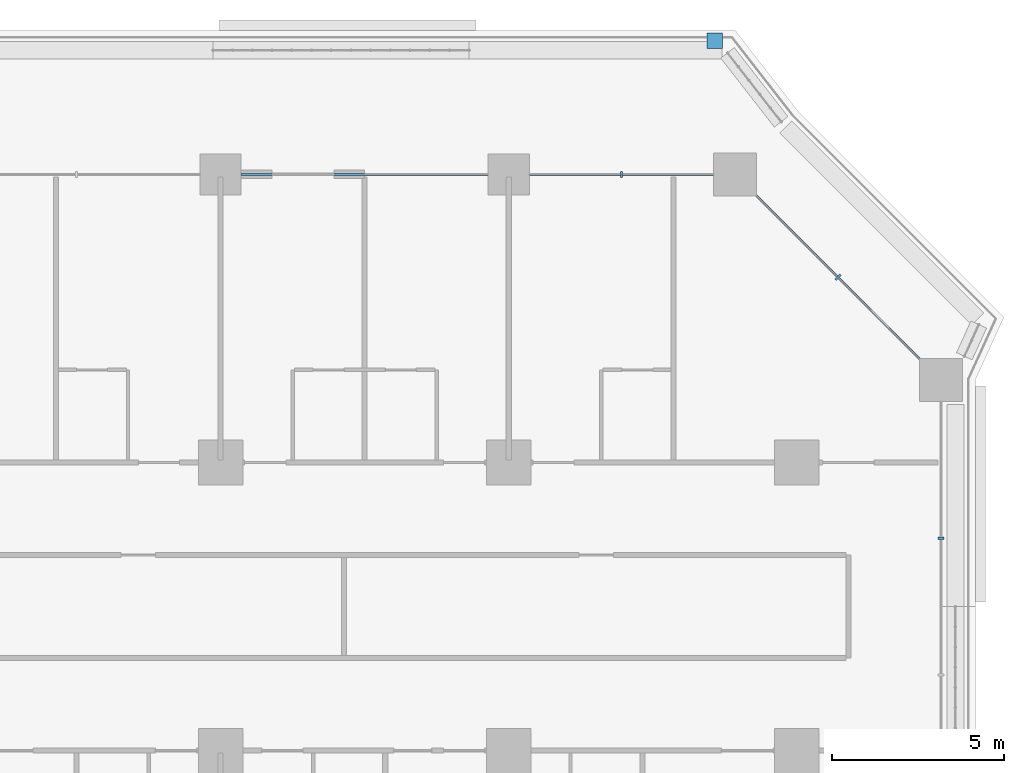
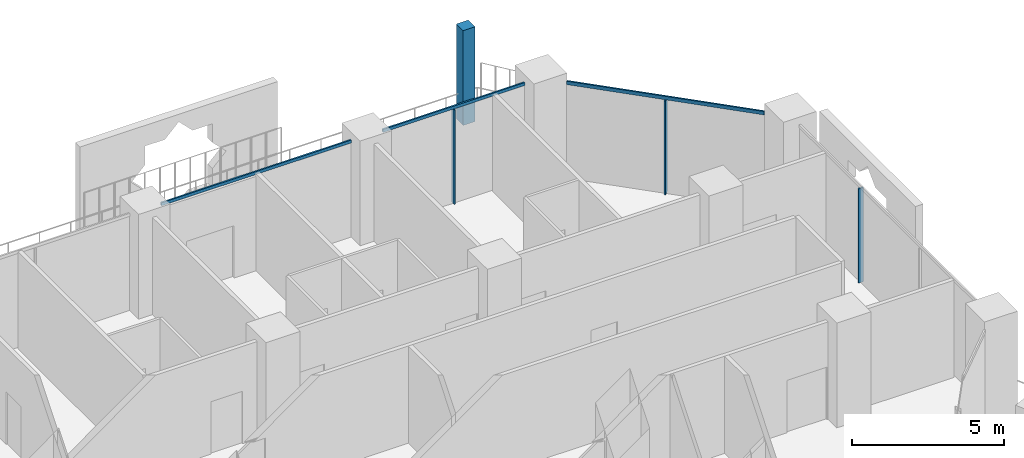
# One storey, part 10 of 28: 7 members, 4 elements without a shape of their own.
"""IFC4 building model written with IfcOpenShell, lengths in metres."""

from ifc_helpers import new_model, si_unit, direction, frame, origin, origin_2d, place, context, subcontext, project, spatial, rectangle, extrude, material, layer, layer_set, material_profile, profile_set, type_object, element, aggregate, save


model = new_model("IFC4")

# Units and contexts
model_context = context("Model", 3, precision=1e-05, world=origin(), true_north=direction((0.0, 1.0)))
body_context = subcontext(model_context, "Body", "Model", "MODEL_VIEW")
ifc_project = project(units=[si_unit("LENGTHUNIT", "METRE"), si_unit("AREAUNIT", "SQUARE_METRE"), si_unit("VOLUMEUNIT", "CUBIC_METRE"), si_unit("PLANEANGLEUNIT", "RADIAN"), si_unit("MASSUNIT", "GRAM", prefix="KILO")], contexts=[model_context])

# Site, building, storey
site_placement = place(None, origin())
site = spatial("IfcSite", under=ifc_project, at=site_placement, CompositionType="ELEMENT")
building_placement = place(site_placement, origin())
building = spatial("IfcBuilding", under=site, at=building_placement, Name="Kawkab Arch Medical Tower", CompositionType="ELEMENT")
storey_placement = place(building_placement, frame((0.0, 0.0, 68.60009765625)))
storey = spatial("IfcBuildingStorey", under=building, at=storey_placement, Name="L15", CompositionType="ELEMENT", Elevation=68.60009765625)

# Curtain wall, member
ifc_material_1 = material(Name="Bronze anodised aluminium curtain wall frame", Category="aluminium")
ifc_layer_1 = layer(ifc_material_1, 0.159912109375)
ifc_layer_set_1 = layer_set([ifc_layer_1], Name="Bronze anodised aluminium curtain wall frame")
curtain_wall_type_1 = type_object("IfcCurtainWallType", Name="CW1 ward curtain wall", PredefinedType="NOTDEFINED", material=ifc_layer_set_1)
placement = place(storey_placement, origin())
curtain_wall_1 = element("IfcCurtainWall", 1, at=placement, inside=storey, type_object=curtain_wall_type_1, Name="CW1 Ward curtain wall R09", PredefinedType="NOTDEFINED")
ifc_material_2 = material(Name="Bronze anodised aluminium curtain wall frame", Category="aluminium")
ifc_material_profile_1 = material_profile(ifc_material_2, rectangle(XDim=0.179931640625, YDim=0.06005859375, at=origin_2d()), Name="AL 60x180")
ifc_profile_set_1 = profile_set([ifc_material_profile_1], Name="Bronze anodised aluminium curtain wall frame")
member_type_1 = type_object("IfcMemberType", Name="CW1 mullion 60 x 180", PredefinedType="MULLION", material=ifc_profile_set_1)
member_1_placement = place(storey_placement, frame((79.800048828125, -10.6083984375, 0.0), z_axis=(0.0, 0.0, 1.0), x_axis=(-1.0, 0.0, 0.0)))
member_1 = element("IfcMember", 2, at=member_1_placement, type_object=member_type_1, Name="CW1 mullion 1.2", PredefinedType="MULLION", context=body_context, shape_type="SweptSolid", body=[
    extrude(rectangle(XDim=0.179931640625, YDim=0.06005859375, at=origin_2d()), origin(), (0.0, 0.0, 1.0), 3.77978515625),
])
aggregate(curtain_wall_1, [member_1])

# Curtain wall, members
curtain_wall_2 = element("IfcCurtainWall", 3, at=placement, inside=storey, type_object=curtain_wall_type_1, Name="CW1 Ward curtain wall R11", PredefinedType="NOTDEFINED")
member_2_placement = place(storey_placement, frame((70.487548828125, 0.0, 0.0), z_axis=(0.0, 0.0, 1.0), x_axis=(0.0, -1.0, 0.0)))
member_2 = element("IfcMember", 4, at=member_2_placement, type_object=member_type_1, Name="CW1 mullion 1.1", PredefinedType="MULLION", context=body_context, shape_type="SweptSolid", body=[
    extrude(rectangle(XDim=0.179931640625, YDim=0.06005859375, at=origin_2d()), origin(), (0.0, 0.0, 1.0), 3.77978515625),
])
ifc_material_3 = material(Name="Bronze anodised aluminium curtain wall frame", Category="aluminium")
ifc_material_profile_2 = material_profile(ifc_material_3, rectangle(XDim=0.06005859375, YDim=0.1201171875, at=origin_2d()), Name="AL 60x120")
ifc_profile_set_2 = profile_set([ifc_material_profile_2], Name="Bronze anodised aluminium curtain wall frame")
member_type_2 = type_object("IfcMemberType", Name="CW1 transom 120 x 60", PredefinedType="USERDEFINED", material=ifc_profile_set_2)
member_3_placement = place(storey_placement, frame((73.175048828125, 0.0, 3.83984375), z_axis=(-1.0, 0.0, 0.0), x_axis=(0.0, -1.0, 0.0)))
member_3 = element("IfcMember", 5, at=member_3_placement, type_object=member_type_2, Name="CW1 transom 1", ObjectType="TRANSOM", PredefinedType="USERDEFINED", context=body_context, shape_type="SweptSolid", body=[
    extrude(rectangle(XDim=0.06005859375, YDim=0.1201171875, at=origin_2d()), origin(), (0.0, 0.0, 1.0), 5.375),
])
member_4_placement = place(storey_placement, frame((66.60009765625, 0.0, 3.83984375), z_axis=(-1.0, 0.0, 0.0), x_axis=(0.0, -1.0, 0.0)))
member_4 = element("IfcMember", 6, at=member_4_placement, type_object=member_type_2, Name="CW1 transom 2", ObjectType="TRANSOM", PredefinedType="USERDEFINED", context=body_context, shape_type="SweptSolid", body=[
    extrude(rectangle(XDim=0.06005859375, YDim=0.1201171875, at=origin_2d()), origin(), (0.0, 0.0, 1.0), 7.2001953125),
])
aggregate(curtain_wall_2, [member_3, member_2, member_4])

ifc_material_4 = material(Name="Bronze anodised aluminium curtain wall frame", Category="aluminium")
ifc_layer_2 = layer(ifc_material_4, 0.159912109375)
ifc_layer_set_2 = layer_set([ifc_layer_2], Name="Bronze anodised aluminium curtain wall frame")
curtain_wall_type_2 = type_object("IfcCurtainWallType", Name="CW2 chamfer curtain wall", PredefinedType="NOTDEFINED", material=ifc_layer_set_2)
curtain_wall_3 = element("IfcCurtainWall", 7, at=placement, inside=storey, type_object=curtain_wall_type_2, Name="CW2 Chamfer curtain wall R10", PredefinedType="NOTDEFINED")
ifc_material_5 = material(Name="Bronze anodised aluminium curtain wall frame", Category="aluminium")
ifc_material_profile_3 = material_profile(ifc_material_5, rectangle(XDim=0.199951171875, YDim=0.06005859375, at=origin_2d()), Name="AL 60x200")
ifc_profile_set_3 = profile_set([ifc_material_profile_3], Name="Bronze anodised aluminium curtain wall frame")
member_type_3 = type_object("IfcMemberType", Name="CW2 mullion 60 x 200", PredefinedType="MULLION", material=ifc_profile_set_3)
member_5_placement = place(storey_placement, frame((76.800048828125, -3.0, 0.0), z_axis=(0.0, 0.0, 1.0), x_axis=(-0.707106781187, -0.707106781187, 0.0)))
member_5 = element("IfcMember", 8, at=member_5_placement, type_object=member_type_3, Name="CW2 mullion 1.1", PredefinedType="MULLION", context=body_context, shape_type="SweptSolid", body=[
    extrude(rectangle(XDim=0.199951171875, YDim=0.06005859375, at=origin_2d()), origin(), (0.0, 0.0, 1.0), 3.760009765625),
])
ifc_material_6 = material(Name="Bronze anodised aluminium curtain wall frame", Category="aluminium")
ifc_material_profile_4 = material_profile(ifc_material_6, rectangle(XDim=0.06005859375, YDim=0.139892578125, at=origin_2d()), Name="AL 60x140")
ifc_profile_set_4 = profile_set([ifc_material_profile_4], Name="Bronze anodised aluminium curtain wall frame")
member_type_4 = type_object("IfcMemberType", Name="CW2 transom 140 x 60", PredefinedType="USERDEFINED", material=ifc_profile_set_4)
member_6_placement = place(storey_placement, frame((79.175048828125, -5.375, 3.829833984375), z_axis=(-0.707106781187, 0.707106781187, 0.0), x_axis=(-0.707106781187, -0.707106781187, 0.0)))
member_6 = element("IfcMember", 9, at=member_6_placement, type_object=member_type_4, Name="CW2 transom 1", ObjectType="TRANSOM", PredefinedType="USERDEFINED", context=body_context, shape_type="SweptSolid", body=[
    extrude(rectangle(XDim=0.06005859375, YDim=0.139892578125, at=origin_2d()), origin(), (0.0, 0.0, 1.0), 6.717529296875),
])
aggregate(curtain_wall_3, [member_6, member_5])

# Curtain wall, member
ifc_material_7 = material(Name="Bronze anodised aluminium climber frame, planted", Category="aluminium")
ifc_layer_3 = layer(ifc_material_7, 0.449951171875)
ifc_layer_set_3 = layer_set([ifc_layer_3], Name="Bronze anodised aluminium climber frame, planted")
curtain_wall_type_3 = type_object("IfcCurtainWallType", Name="Planted climber frame", PredefinedType="NOTDEFINED", material=ifc_layer_set_3)
curtain_wall_4 = element("IfcCurtainWall", 10, at=placement, inside=storey, type_object=curtain_wall_type_3, Name="Planted climber frame L15", PredefinedType="NOTDEFINED")
ifc_material_8 = material(Name="Bronze anodised aluminium climber frame, planted", Category="aluminium")
ifc_material_profile_5 = material_profile(ifc_material_8, rectangle(XDim=0.449951171875, YDim=0.449951171875, at=origin_2d()), Name="Post 450x450")
ifc_profile_set_5 = profile_set([ifc_material_profile_5], Name="Bronze anodised aluminium climber frame, planted")
member_type_5 = type_object("IfcMemberType", Name="Planted climber post 450 x 450", PredefinedType="MULLION", material=ifc_profile_set_5)
member_7_placement = place(storey_placement, frame((73.202880859375, 3.89990234375, 0.0), z_axis=(0.0, 0.0, 1.0), x_axis=(1.0, 0.0, 0.0)))
member_7 = element("IfcMember", 11, at=member_7_placement, type_object=member_type_5, Name="Planted climber post L15.LOG-01-01.4", PredefinedType="MULLION", context=body_context, shape_type="SweptSolid", body=[
    extrude(rectangle(XDim=0.449951171875, YDim=0.449951171875, at=origin_2d()), origin(), (0.0, 0.0, 1.0), 3.7998046875),
])
aggregate(curtain_wall_4, [member_7])

save(model, "model.ifc")
